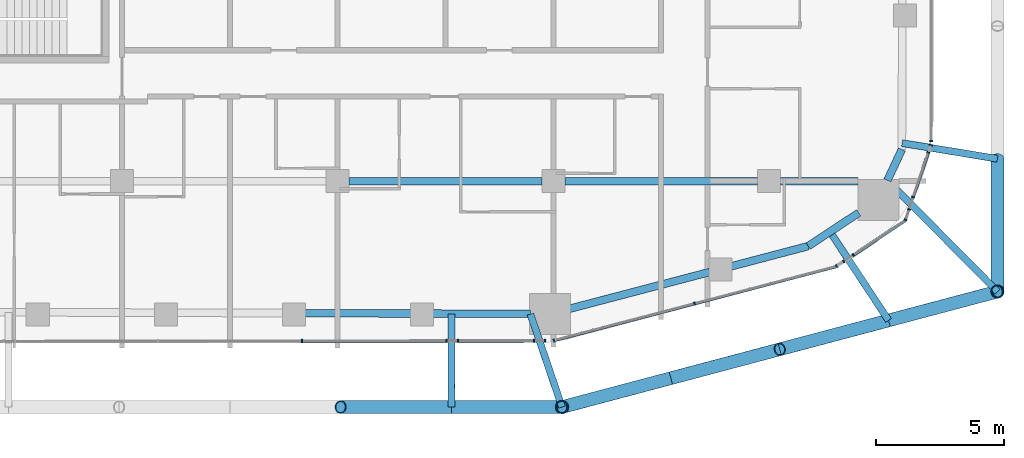
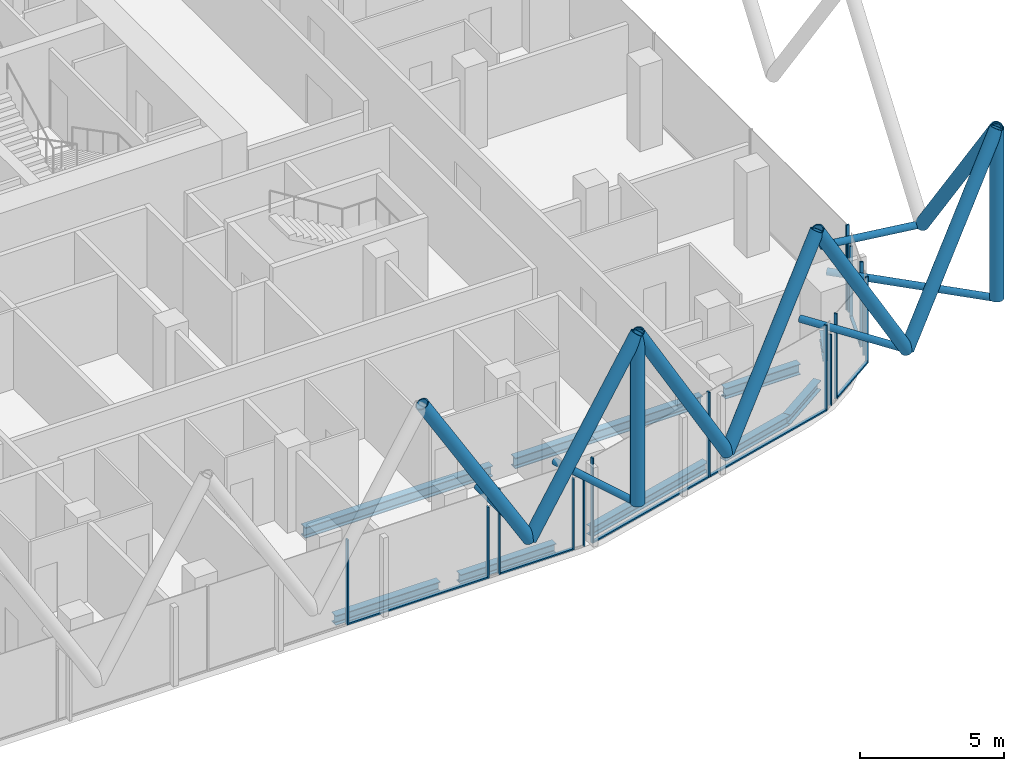
# One storey, part 6 of 36: 36 members, 9 beams, 13 elements without a shape of their own.
"""IFC4 building model written with IfcOpenShell, lengths in metres."""

from ifc_helpers import new_model, si_unit, direction, frame, origin, origin_2d, place, context, subcontext, project, spatial, rectangle, hollow_circle, i_section, extrude, material, layer, layer_set, material_profile, profile_set, type_object, element, aggregate, save


model = new_model("IFC4")

# Units and contexts
model_context = context("Model", 3, precision=1e-05, world=origin(), true_north=direction((0.0, 1.0)))
body_context = subcontext(model_context, "Body", "Model", "MODEL_VIEW")
ifc_project = project(units=[si_unit("LENGTHUNIT", "METRE"), si_unit("AREAUNIT", "SQUARE_METRE"), si_unit("VOLUMEUNIT", "CUBIC_METRE"), si_unit("PLANEANGLEUNIT", "RADIAN"), si_unit("MASSUNIT", "GRAM", prefix="KILO")], contexts=[model_context])

# Site, building, storey
site_placement = place(None, origin())
site = spatial("IfcSite", under=ifc_project, at=site_placement, CompositionType="ELEMENT")
building_placement = place(site_placement, origin())
building = spatial("IfcBuilding", under=site, at=building_placement, Name="Marenta Gate Hotel Tower", CompositionType="ELEMENT")
storey_placement = place(building_placement, frame((0.0, 0.0, 158.89990234375)))
storey = spatial("IfcBuildingStorey", under=building, at=storey_placement, Name="L37", CompositionType="ELEMENT", Elevation=158.89990234375)

# Members
ifc_material_1 = material(Name="Steel S355J2W", Category="steel")
ifc_material_profile_1 = material_profile(ifc_material_1, hollow_circle(Radius=0.25390625, WallThickness=0.02490234375, at=origin_2d()), Name="CHS 508x25")
ifc_profile_set_1 = profile_set([ifc_material_profile_1], Name="Steel S355J2W")
member_type_1 = type_object("IfcMemberType", Name="Diagrid corner post Z2 CHS 508x25", PredefinedType="POST", material=ifc_profile_set_1)
for number, where, z_axis, x_axis, name in (
    (1, (29.89990234375, -21.10009765625, 3.14013671875), (0.0, 0.0, 1.0), (1.0, 0.0, 0.0), "L37-DR-2"),
    (2, (12.93896484375, -25.60009765625, 3.14013671875), (0.0, 0.0, 1.0), (1.0, 0.0, 0.0), "L37-DR-3"),
):
    element("IfcMember", number, at=place(storey_placement, frame(where, z_axis=z_axis, x_axis=x_axis)), inside=storey, type_object=member_type_1, Name=name, PredefinedType="POST", context=body_context, shape_type="SweptSolid", body=[
        extrude(hollow_circle(Radius=0.25390625, WallThickness=0.02490234375, at=origin_2d()), origin(), (0.0, 0.0, 1.0), 7.199951171875),
    ])
ifc_material_2 = material(Name="Steel S355J2W", Category="steel")
ifc_material_profile_2 = material_profile(ifc_material_2, hollow_circle(Radius=0.25390625, WallThickness=0.0400390625, at=origin_2d()), Name="CHS 508x40")
ifc_profile_set_2 = profile_set([ifc_material_profile_2], Name="Steel S355J2W")
member_type_2 = type_object("IfcMemberType", Name="Diagrid diagonal Z2 CHS 508x40", PredefinedType="BRACE", material=ifc_profile_set_2)
member_1_placement = place(storey_placement, frame((29.89990234375, -15.93017578125, 3.14013671875), z_axis=(0.0, -0.583260841117, 0.812284919975), x_axis=(1.0, 0.0, 0.0)))
element("IfcMember", 3, at=member_1_placement, inside=storey, type_object=member_type_2, Name="L37-DG-10", PredefinedType="BRACE", context=body_context, shape_type="SweptSolid", body=[
    extrude(hollow_circle(Radius=0.25390625, WallThickness=0.0400390625, at=origin_2d()), origin(), (0.0, 0.0, 1.0), 8.86376953125),
])
member_2_placement = place(storey_placement, frame((25.659912109375, -22.22509765625, 3.14013671875), z_axis=(0.502902385412, 0.133435492139, 0.853981358218), x_axis=(-0.256456982503, 0.966555645644, 0.0)))
element("IfcMember", 4, at=member_2_placement, inside=storey, type_object=member_type_2, Name="L37-DG-11", PredefinedType="BRACE", context=body_context, shape_type="SweptSolid", body=[
    extrude(hollow_circle(Radius=0.25390625, WallThickness=0.0400390625, at=origin_2d()), origin(), (0.0, 0.0, 1.0), 8.43115234375),
])
member_3_placement = place(storey_placement, frame((25.659912109375, -22.22509765625, 3.14013671875), z_axis=(-0.502945650976, -0.133431605717, 0.853956485285), x_axis=(0.256429393985, -0.966562965306, 0.0)))
element("IfcMember", 5, at=member_3_placement, inside=storey, type_object=member_type_2, Name="L37-DG-12", PredefinedType="BRACE", context=body_context, shape_type="SweptSolid", body=[
    extrude(hollow_circle(Radius=0.25390625, WallThickness=0.0400390625, at=origin_2d()), origin(), (0.0, 0.0, 1.0), 8.431396484375),
])
for number, where, z_axis, x_axis, name in (
    (6, (17.17919921875, -24.47509765625, 3.14013671875), (0.502924018666, 0.133433548941, 0.853968921838), (-0.256443187528, 0.96655930577, 0.0), "L37-DG-13"),
    (7, (17.17919921875, -24.47509765625, 3.14013671875), (-0.502924018666, -0.133433548941, 0.853968921838), (0.256443187528, -0.96655930577, 0.0), "L37-DG-14"),
):
    element("IfcMember", number, at=place(storey_placement, frame(where, z_axis=z_axis, x_axis=x_axis)), inside=storey, type_object=member_type_2, Name=name, PredefinedType="BRACE", context=body_context, shape_type="SweptSolid", body=[
        extrude(hollow_circle(Radius=0.25390625, WallThickness=0.0400390625, at=origin_2d()), origin(), (0.0, 0.0, 1.0), 8.43115234375),
    ])
for number, where, z_axis, x_axis, name in (
    (8, (8.6259765625, -25.60009765625, 3.14013671875), (0.513883902774, 0.0, 0.857859740558), (0.0, 1.0, 0.0), "L37-DG-15"),
    (9, (8.6259765625, -25.60009765625, 3.14013671875), (-0.513883902774, 0.0, 0.857859740558), (0.0, -1.0, 0.0), "L37-DG-16"),
):
    element("IfcMember", number, at=place(storey_placement, frame(where, z_axis=z_axis, x_axis=x_axis)), inside=storey, type_object=member_type_2, Name=name, PredefinedType="BRACE", context=body_context, shape_type="SweptSolid", body=[
        extrude(hollow_circle(Radius=0.25390625, WallThickness=0.0400390625, at=origin_2d()), origin(), (0.0, 0.0, 1.0), 8.392822265625),
    ])

# Beams
ifc_material_3 = material(Name="Steel S355", Category="steel")
ifc_material_profile_3 = material_profile(ifc_material_3, i_section(OverallWidth=0.300048828125, OverallDepth=0.39990234375, WebThickness=0.013427734375, FlangeThickness=0.02392578125, FilletRadius=0.027099609375, at=origin_2d()), Name="HEB 400")
ifc_profile_set_3 = profile_set([ifc_material_profile_3], Name="Steel S355")
beam_type_1 = type_object("IfcBeamType", Name="Edge beam HEB 400", PredefinedType="SPANDREL", material=ifc_profile_set_3)
beam_1_placement = place(storey_placement, frame((26.175048828125, -15.567138671875, -0.4599609375), z_axis=(-0.423207780269, -0.906032656541, 0.0), x_axis=(0.906032656541, -0.423207780269, 0.0)))
element("IfcBeam", 10, at=beam_1_placement, inside=storey, type_object=beam_type_1, Name="L37-EB-28", PredefinedType="SPANDREL", context=body_context, shape_type="SweptSolid", body=[
    extrude(i_section(OverallWidth=0.300048828125, OverallDepth=0.39990234375, WebThickness=0.013427734375, FlangeThickness=0.02392578125, FilletRadius=0.027099609375, at=origin_2d()), origin(), (0.0, 0.0, 1.0), 1.326904296875),
])
beam_2_placement = place(storey_placement, frame((24.496337890625, -18.0322265625, -0.4599609375), z_axis=(-0.834496060599, -0.551013906217, 0.0), x_axis=(0.551013906217, -0.834496060599, 0.0)))
element("IfcBeam", 11, at=beam_2_placement, inside=storey, type_object=beam_type_1, Name="L37-EB-29", PredefinedType="SPANDREL", context=body_context, shape_type="SweptSolid", body=[
    extrude(i_section(OverallWidth=0.300048828125, OverallDepth=0.39990234375, WebThickness=0.013427734375, FlangeThickness=0.02392578125, FilletRadius=0.027099609375, at=origin_2d()), origin(), (0.0, 0.0, 1.0), 2.357177734375),
])
beam_3_placement = place(storey_placement, frame((22.529296875, -19.3310546875, -0.4599609375), z_axis=(-0.967224706208, -0.25392197168, 0.0), x_axis=(0.25392197168, -0.967224706208, 0.0)))
element("IfcBeam", 12, at=beam_3_placement, inside=storey, type_object=beam_type_1, Name="L37-EB-30", PredefinedType="SPANDREL", context=body_context, shape_type="SweptSolid", body=[
    extrude(i_section(OverallWidth=0.300048828125, OverallDepth=0.39990234375, WebThickness=0.013427734375, FlangeThickness=0.02392578125, FilletRadius=0.027099609375, at=origin_2d()), origin(), (0.0, 0.0, 1.0), 3.11328125),
])
beam_4_placement = place(storey_placement, frame((18.695556640625, -20.33740234375, -0.4599609375), z_axis=(-0.96723321901, -0.253889542999, 0.0), x_axis=(0.253889542999, -0.96723321901, 0.0)))
element("IfcBeam", 13, at=beam_4_placement, inside=storey, type_object=beam_type_1, Name="L37-EB-31", PredefinedType="SPANDREL", context=body_context, shape_type="SweptSolid", body=[
    extrude(i_section(OverallWidth=0.300048828125, OverallDepth=0.39990234375, WebThickness=0.013427734375, FlangeThickness=0.02392578125, FilletRadius=0.027099609375, at=origin_2d()), origin(), (0.0, 0.0, 1.0), 5.6533203125),
])
beam_5_placement = place(storey_placement, frame((11.706298828125, -21.97021484375, -0.4599609375), z_axis=(-0.999994883969, 0.003198755307, 0.0), x_axis=(-0.003198755307, -0.999994883969, 0.0)))
element("IfcBeam", 14, at=beam_5_placement, inside=storey, type_object=beam_type_1, Name="L37-EB-32", PredefinedType="SPANDREL", context=body_context, shape_type="SweptSolid", body=[
    extrude(i_section(OverallWidth=0.300048828125, OverallDepth=0.39990234375, WebThickness=0.013427734375, FlangeThickness=0.02392578125, FilletRadius=0.027099609375, at=origin_2d()), origin(), (0.0, 0.0, 1.0), 3.816162109375),
])
beam_6_placement = place(storey_placement, frame((7.070068359375, -21.955322265625, -0.4599609375), z_axis=(-0.999994807487, 0.003222576575, 0.0), x_axis=(-0.003222576575, -0.999994807487, 0.0)))
element("IfcBeam", 15, at=beam_6_placement, inside=storey, type_object=beam_type_1, Name="L37-EB-33", PredefinedType="SPANDREL", context=body_context, shape_type="SweptSolid", body=[
    extrude(i_section(OverallWidth=0.300048828125, OverallDepth=0.39990234375, WebThickness=0.013427734375, FlangeThickness=0.02392578125, FilletRadius=0.027099609375, at=origin_2d()), origin(), (0.0, 0.0, 1.0), 4.166748046875),
])

# Members
ifc_material_4 = material(Name="Steel S355J2W", Category="steel")
ifc_material_profile_4 = material_profile(ifc_material_4, hollow_circle(Radius=0.136474609375, WallThickness=0.012451171875, at=origin_2d()), Name="CHS 273x12.5")
ifc_profile_set_4 = profile_set([ifc_material_profile_4], Name="Steel S355J2W")
member_type_3 = type_object("IfcMemberType", Name="Floor tie CHS 273x12.5", PredefinedType="STRUT", material=ifc_profile_set_4)
member_4_placement = place(storey_placement, frame((29.89990234375, -15.93017578125, 3.14013671875), z_axis=(-0.986724686623, 0.162401948291, 0.0), x_axis=(-0.162401948291, -0.986724686623, 0.0)))
element("IfcMember", 16, at=member_4_placement, inside=storey, type_object=member_type_3, Name="L37-DR-10", PredefinedType="STRUT", context=body_context, shape_type="SweptSolid", body=[
    extrude(hollow_circle(Radius=0.136474609375, WallThickness=0.012451171875, at=origin_2d()), origin(), (0.0, 0.0, 1.0), 3.767333984375),
])
member_5_placement = place(storey_placement, frame((29.89990234375, -21.10009765625, 3.14013671875), z_axis=(-0.703467207322, 0.710727717359, 0.0), x_axis=(-0.710727717359, -0.703467207322, 0.0)))
element("IfcMember", 17, at=member_5_placement, inside=storey, type_object=member_type_3, Name="L37-DR-11", PredefinedType="STRUT", context=body_context, shape_type="SweptSolid", body=[
    extrude(hollow_circle(Radius=0.136474609375, WallThickness=0.012451171875, at=origin_2d()), origin(), (0.0, 0.0, 1.0), 6.086181640625),
])
member_6_placement = place(storey_placement, frame((25.659912109375, -22.22509765625, 3.14013671875), z_axis=(-0.551028164998, 0.834486645417, 0.0), x_axis=(-0.834486645417, -0.551028164998, 0.0)))
element("IfcMember", 18, at=member_6_placement, inside=storey, type_object=member_type_3, Name="L37-DR-12", PredefinedType="STRUT", context=body_context, shape_type="SweptSolid", body=[
    extrude(hollow_circle(Radius=0.136474609375, WallThickness=0.012451171875, at=origin_2d()), origin(), (0.0, 0.0, 1.0), 4.13330078125),
])
member_7_placement = place(storey_placement, frame((12.93896484375, -25.60009765625, 3.14013671875), z_axis=(-0.321582426358, 0.94688158872, 0.0), x_axis=(-0.94688158872, -0.321582426358, 0.0)))
element("IfcMember", 19, at=member_7_placement, inside=storey, type_object=member_type_3, Name="L37-DR-13", PredefinedType="STRUT", context=body_context, shape_type="SweptSolid", body=[
    extrude(hollow_circle(Radius=0.136474609375, WallThickness=0.012451171875, at=origin_2d()), origin(), (0.0, 0.0, 1.0), 3.826171875),
])
member_8_placement = place(storey_placement, frame((8.6259765625, -25.60009765625, 3.14013671875), z_axis=(0.003225789668, 0.999994797127, 0.0), x_axis=(-0.999994797127, 0.003225789668, 0.0)))
element("IfcMember", 20, at=member_8_placement, inside=storey, type_object=member_type_3, Name="L37-DR-14", PredefinedType="STRUT", context=body_context, shape_type="SweptSolid", body=[
    extrude(hollow_circle(Radius=0.136474609375, WallThickness=0.012451171875, at=origin_2d()), origin(), (0.0, 0.0, 1.0), 3.6328125),
])

# Beams
ifc_material_5 = material(Name="Steel S355", Category="steel")
ifc_material_profile_5 = material_profile(ifc_material_5, i_section(OverallWidth=0.300048828125, OverallDepth=0.449951171875, WebThickness=0.013916015625, FlangeThickness=0.02587890625, FilletRadius=0.027099609375, at=origin_2d()), Name="HEB 450")
ifc_profile_set_5 = profile_set([ifc_material_profile_5], Name="Steel S355")
beam_type_2 = type_object("IfcBeamType", Name="Girder HEB 450", PredefinedType="BEAM", material=ifc_profile_set_5)
for number, where, z_axis, x_axis, name in (
    (21, (4.64990234375, -16.800048828125, -0.48486328125), (1.0, 0.0, 0.0), (0.0, 1.0, 0.0), "L37-GD-5"),
    (22, (13.050048828125, -16.800048828125, -0.48486328125), (1.0, 0.0, 0.0), (0.0, 1.0, 0.0), "L37-GD-6"),
):
    element("IfcBeam", number, at=place(storey_placement, frame(where, z_axis=z_axis, x_axis=x_axis)), inside=storey, type_object=beam_type_2, Name=name, PredefinedType="BEAM", context=body_context, shape_type="SweptSolid", body=[
        extrude(i_section(OverallWidth=0.300048828125, OverallDepth=0.449951171875, WebThickness=0.013916015625, FlangeThickness=0.02587890625, FilletRadius=0.027099609375, at=origin_2d()), origin(), (0.0, 0.0, 1.0), 7.5),
    ])
beam_7_placement = place(storey_placement, frame((21.449951171875, -16.800048828125, -0.48486328125), z_axis=(1.0, 0.0, 0.0), x_axis=(0.0, 1.0, 0.0)))
element("IfcBeam", 23, at=beam_7_placement, inside=storey, type_object=beam_type_2, Name="L37-GD-7", PredefinedType="BEAM", context=body_context, shape_type="SweptSolid", body=[
    extrude(i_section(OverallWidth=0.300048828125, OverallDepth=0.449951171875, WebThickness=0.013916015625, FlangeThickness=0.02587890625, FilletRadius=0.027099609375, at=origin_2d()), origin(), (0.0, 0.0, 1.0), 3.012939453125),
])

# Curtain wall, member
ifc_material_6 = material(Name="Tinted insulated glass in bronze anodised frame", Category="glass")
ifc_layer = layer(ifc_material_6, 0.1201171875)
ifc_layer_set = layer_set([ifc_layer], Name="Tinted insulated glass in bronze anodised frame")
curtain_wall_type = type_object("IfcCurtainWallType", Name="Tower unitised curtain wall CW1", PredefinedType="NOTDEFINED", material=ifc_layer_set)
curtain_wall_1_placement = place(storey_placement, origin())
curtain_wall_1 = element("IfcCurtainWall", 24, at=curtain_wall_1_placement, inside=storey, type_object=curtain_wall_type, Name="CW1 run G21", PredefinedType="NOTDEFINED")
ifc_material_7 = material(Name="Bronze anodised aluminium", Category="aluminium")
ifc_material_profile_6 = material_profile(ifc_material_7, rectangle(XDim=0.1201171875, YDim=0.06005859375, at=origin_2d()), Name="Mullion CW1 60x120 bronze anodised aluminium")
ifc_profile_set_6 = profile_set([ifc_material_profile_6], Name="Bronze anodised aluminium")
member_type_4 = type_object("IfcMemberType", Name="Mullion CW1 60x120 bronze anodised aluminium", PredefinedType="MULLION", material=ifc_profile_set_6)
member_9_placement = place(storey_placement, frame((2.80810546875, -23.026611328125, 0.0), z_axis=(0.0, 0.0, 1.0), x_axis=(-0.001363166999, 0.999999070887, 0.0)))
member_9 = element("IfcMember", 25, at=member_9_placement, type_object=member_type_4, Name="CW1 mullion 3", PredefinedType="MULLION", context=body_context, shape_type="SweptSolid", body=[
    extrude(rectangle(XDim=0.1201171875, YDim=0.06005859375, at=origin_2d()), origin(), (0.0, 0.0, 1.0), 3.60009765625),
])

curtain_wall_2_placement = place(storey_placement, origin())
curtain_wall_2 = element("IfcCurtainWall", 26, at=curtain_wall_2_placement, inside=storey, type_object=curtain_wall_type, Name="CW1 run G22", PredefinedType="NOTDEFINED")
member_10_placement = place(storey_placement, frame((8.437744140625, -23.01904296875, 0.0), z_axis=(0.0, 0.0, 1.0), x_axis=(-0.001324502144, 0.999999122847, 0.0)))
member_10 = element("IfcMember", 27, at=member_10_placement, type_object=member_type_4, Name="CW1 mullion 1", PredefinedType="MULLION", context=body_context, shape_type="SweptSolid", body=[
    extrude(rectangle(XDim=0.1201171875, YDim=0.06005859375, at=origin_2d()), origin(), (0.0, 0.0, 1.0), 3.00048828125),
])
aggregate(curtain_wall_2, [member_10])

curtain_wall_3_placement = place(storey_placement, origin())
curtain_wall_3 = element("IfcCurtainWall", 28, at=curtain_wall_3_placement, inside=storey, type_object=curtain_wall_type, Name="CW1 run G23", PredefinedType="NOTDEFINED")
member_11_placement = place(storey_placement, frame((8.890869140625, -23.018310546875, 0.0), z_axis=(0.0, 0.0, 1.0), x_axis=(-0.001384712772, 0.999999041285, 0.0)))
member_11 = element("IfcMember", 29, at=member_11_placement, type_object=member_type_4, Name="CW1 mullion 1", PredefinedType="MULLION", context=body_context, shape_type="SweptSolid", body=[
    extrude(rectangle(XDim=0.1201171875, YDim=0.06005859375, at=origin_2d()), origin(), (0.0, 0.0, 1.0), 3.60009765625),
])

# Curtain wall, members
curtain_wall_4_placement = place(storey_placement, origin())
curtain_wall_4 = element("IfcCurtainWall", 30, at=curtain_wall_4_placement, inside=storey, type_object=curtain_wall_type, Name="CW1 run G24", PredefinedType="NOTDEFINED")
member_12_placement = place(storey_placement, frame((11.851806640625, -23.01416015625, 0.0), z_axis=(0.0, 0.0, 1.0), x_axis=(-0.001254704164, 0.999999212858, 0.0)))
member_12 = element("IfcMember", 31, at=member_12_placement, type_object=member_type_4, Name="CW1 mullion 1", PredefinedType="MULLION", context=body_context, shape_type="SweptSolid", body=[
    extrude(rectangle(XDim=0.1201171875, YDim=0.06005859375, at=origin_2d()), origin(), (0.0, 0.0, 1.0), 3.00048828125),
])
member_13_placement = place(storey_placement, frame((12.27001953125, -23.013671875, 0.0), z_axis=(0.0, 0.0, 1.0), x_axis=(-0.001254704164, 0.999999212858, 0.0)))
member_13 = element("IfcMember", 32, at=member_13_placement, type_object=member_type_4, Name="CW1 mullion 2", PredefinedType="MULLION", context=body_context, shape_type="SweptSolid", body=[
    extrude(rectangle(XDim=0.1201171875, YDim=0.06005859375, at=origin_2d()), origin(), (0.0, 0.0, 1.0), 3.00048828125),
])
aggregate(curtain_wall_4, [member_12, member_13])

curtain_wall_5_placement = place(storey_placement, origin())
curtain_wall_5 = element("IfcCurtainWall", 33, at=curtain_wall_5_placement, inside=storey, type_object=curtain_wall_type, Name="CW1 run G25", PredefinedType="NOTDEFINED")
member_14_placement = place(storey_placement, frame((12.626708984375, -23.005615234375, 0.0), z_axis=(0.0, 0.0, 1.0), x_axis=(-0.253374270473, 0.967368326473, 0.0)))
member_14 = element("IfcMember", 34, at=member_14_placement, type_object=member_type_4, Name="CW1 mullion 1", PredefinedType="MULLION", context=body_context, shape_type="SweptSolid", body=[
    extrude(rectangle(XDim=0.1201171875, YDim=0.06005859375, at=origin_2d()), origin(), (0.0, 0.0, 1.0), 3.60009765625),
])
member_15_placement = place(storey_placement, frame((18.102783203125, -21.571533203125, 0.0), z_axis=(0.0, 0.0, 1.0), x_axis=(-0.253374270473, 0.967368326473, 0.0)))
member_15 = element("IfcMember", 35, at=member_15_placement, type_object=member_type_4, Name="CW1 mullion 2", PredefinedType="MULLION", context=body_context, shape_type="SweptSolid", body=[
    extrude(rectangle(XDim=0.1201171875, YDim=0.06005859375, at=origin_2d()), origin(), (0.0, 0.0, 1.0), 3.60009765625),
])

# Curtain wall, member
curtain_wall_6_placement = place(storey_placement, origin())
curtain_wall_6 = element("IfcCurtainWall", 36, at=curtain_wall_6_placement, inside=storey, type_object=curtain_wall_type, Name="CW1 run G26", PredefinedType="NOTDEFINED")
member_16_placement = place(storey_placement, frame((23.632568359375, -20.113037109375, 0.0), z_axis=(0.0, 0.0, 1.0), x_axis=(-0.553864525199, 0.832606802594, 0.0)))
member_16 = element("IfcMember", 37, at=member_16_placement, type_object=member_type_4, Name="CW1 mullion 1", PredefinedType="MULLION", context=body_context, shape_type="SweptSolid", body=[
    extrude(rectangle(XDim=0.1201171875, YDim=0.06005859375, at=origin_2d()), origin(), (0.0, 0.0, 1.0), 3.60009765625),
])
aggregate(curtain_wall_6, [member_16])

curtain_wall_7_placement = place(storey_placement, origin())
curtain_wall_7 = element("IfcCurtainWall", 38, at=curtain_wall_7_placement, inside=storey, type_object=curtain_wall_type, Name="CW1 run G27", PredefinedType="NOTDEFINED")
member_17_placement = place(storey_placement, frame((23.90869140625, -19.929443359375, 0.0), z_axis=(0.0, 0.0, 1.0), x_axis=(-0.554088731944, 0.832457612814, 0.0)))
member_17 = element("IfcMember", 39, at=member_17_placement, type_object=member_type_4, Name="CW1 mullion 1", PredefinedType="MULLION", context=body_context, shape_type="SweptSolid", body=[
    extrude(rectangle(XDim=0.1201171875, YDim=0.06005859375, at=origin_2d()), origin(), (0.0, 0.0, 1.0), 3.00048828125),
])
aggregate(curtain_wall_7, [member_17])

curtain_wall_8_placement = place(storey_placement, origin())
curtain_wall_8 = element("IfcCurtainWall", 40, at=curtain_wall_8_placement, inside=storey, type_object=curtain_wall_type, Name="CW1 run G28", PredefinedType="NOTDEFINED")
member_18_placement = place(storey_placement, frame((24.28564453125, -19.678466796875, 0.0), z_axis=(0.0, 0.0, 1.0), x_axis=(-0.554023350707, 0.832501127249, 0.0)))
member_18 = element("IfcMember", 41, at=member_18_placement, type_object=member_type_4, Name="CW1 mullion 1", PredefinedType="MULLION", context=body_context, shape_type="SweptSolid", body=[
    extrude(rectangle(XDim=0.1201171875, YDim=0.06005859375, at=origin_2d()), origin(), (0.0, 0.0, 1.0), 3.60009765625),
])

curtain_wall_9_placement = place(storey_placement, origin())
curtain_wall_9 = element("IfcCurtainWall", 42, at=curtain_wall_9_placement, inside=storey, type_object=curtain_wall_type, Name="CW1 run G29", PredefinedType="NOTDEFINED")
member_19_placement = place(storey_placement, frame((26.314453125, -18.30615234375, 0.0), z_axis=(0.0, 0.0, 1.0), x_axis=(-0.946727185016, 0.322036701561, 0.0)))
member_19 = element("IfcMember", 43, at=member_19_placement, type_object=member_type_4, Name="CW1 mullion 1", PredefinedType="MULLION", context=body_context, shape_type="SweptSolid", body=[
    extrude(rectangle(XDim=0.1201171875, YDim=0.06005859375, at=origin_2d()), origin(), (0.0, 0.0, 1.0), 3.60009765625),
])
aggregate(curtain_wall_9, [member_19])

curtain_wall_10_placement = place(storey_placement, origin())
curtain_wall_10 = element("IfcCurtainWall", 44, at=curtain_wall_10_placement, inside=storey, type_object=curtain_wall_type, Name="CW1 run G30", PredefinedType="NOTDEFINED")
member_20_placement = place(storey_placement, frame((26.452392578125, -17.90087890625, 0.0), z_axis=(0.0, 0.0, 1.0), x_axis=(-0.946729383953, 0.322030237029, 0.0)))
member_20 = element("IfcMember", 45, at=member_20_placement, type_object=member_type_4, Name="CW1 mullion 1", PredefinedType="MULLION", context=body_context, shape_type="SweptSolid", body=[
    extrude(rectangle(XDim=0.1201171875, YDim=0.06005859375, at=origin_2d()), origin(), (0.0, 0.0, 1.0), 3.00048828125),
])
aggregate(curtain_wall_10, [member_20])

curtain_wall_11_placement = place(storey_placement, origin())
curtain_wall_11 = element("IfcCurtainWall", 46, at=curtain_wall_11_placement, inside=storey, type_object=curtain_wall_type, Name="CW1 run G31", PredefinedType="NOTDEFINED")
member_21_placement = place(storey_placement, frame((26.615478515625, -17.421630859375, 0.0), z_axis=(0.0, 0.0, 1.0), x_axis=(-0.946728842502, 0.322031828824, 0.0)))
member_21 = element("IfcMember", 47, at=member_21_placement, type_object=member_type_4, Name="CW1 mullion 1", PredefinedType="MULLION", context=body_context, shape_type="SweptSolid", body=[
    extrude(rectangle(XDim=0.1201171875, YDim=0.06005859375, at=origin_2d()), origin(), (0.0, 0.0, 1.0), 3.60009765625),
])

# Curtain wall, members
curtain_wall_12_placement = place(storey_placement, origin())
curtain_wall_12 = element("IfcCurtainWall", 48, at=curtain_wall_12_placement, inside=storey, type_object=curtain_wall_type, Name="CW1 run G32", PredefinedType="NOTDEFINED")
member_22_placement = place(storey_placement, frame((27.205810546875, -15.686279296875, 0.0), z_axis=(0.0, 0.0, 1.0), x_axis=(-0.946726116827, 0.322039841818, 0.0)))
member_22 = element("IfcMember", 49, at=member_22_placement, type_object=member_type_4, Name="CW1 mullion 1", PredefinedType="MULLION", context=body_context, shape_type="SweptSolid", body=[
    extrude(rectangle(XDim=0.1201171875, YDim=0.06005859375, at=origin_2d()), origin(), (0.0, 0.0, 1.0), 3.00048828125),
])
member_23_placement = place(storey_placement, frame((27.304443359375, -15.396484375, 0.0), z_axis=(0.0, 0.0, 1.0), x_axis=(-0.946726116827, 0.322039841818, 0.0)))
member_23 = element("IfcMember", 50, at=member_23_placement, type_object=member_type_4, Name="CW1 mullion 2", PredefinedType="MULLION", context=body_context, shape_type="SweptSolid", body=[
    extrude(rectangle(XDim=0.1201171875, YDim=0.06005859375, at=origin_2d()), origin(), (0.0, 0.0, 1.0), 3.00048828125),
])
aggregate(curtain_wall_12, [member_22, member_23])

# Curtain wall, member
curtain_wall_13_placement = place(storey_placement, origin())
curtain_wall_13 = element("IfcCurtainWall", 51, at=curtain_wall_13_placement, inside=storey, type_object=curtain_wall_type, Name="CW1 run G33", PredefinedType="NOTDEFINED")
member_24_placement = place(storey_placement, frame((27.31396484375, -15.244873046875, 0.0), z_axis=(0.0, 0.0, 1.0), x_axis=(-1.0, 0.0, 0.0)))
member_24 = element("IfcMember", 52, at=member_24_placement, type_object=member_type_4, Name="CW1 mullion 1", PredefinedType="MULLION", context=body_context, shape_type="SweptSolid", body=[
    extrude(rectangle(XDim=0.1201171875, YDim=0.06005859375, at=origin_2d()), origin(), (0.0, 0.0, 1.0), 3.60009765625),
])
aggregate(curtain_wall_13, [member_24])

# Member
ifc_material_8 = material(Name="Bronze anodised aluminium", Category="aluminium")
ifc_material_profile_7 = material_profile(ifc_material_8, rectangle(XDim=0.1201171875, YDim=0.06005859375, at=origin_2d()), Name="Transom CW1 60x120 bronze anodised aluminium")
ifc_profile_set_7 = profile_set([ifc_material_profile_7], Name="Bronze anodised aluminium")
member_type_5 = type_object("IfcMemberType", Name="Transom CW1 60x120 bronze anodised aluminium", PredefinedType="USERDEFINED", material=ifc_profile_set_7)
member_25_placement = place(storey_placement, frame((2.838134765625, -23.026611328125, 0.030029296875), z_axis=(0.999999076732, 0.001358873071, 0.0), x_axis=(-0.001358873071, 0.999999076732, 0.0)))
member_25 = element("IfcMember", 53, at=member_25_placement, type_object=member_type_5, Name="CW1 transom 3.1", ObjectType="TRANSOM", PredefinedType="USERDEFINED", context=body_context, shape_type="SweptSolid", body=[
    extrude(rectangle(XDim=0.1201171875, YDim=0.06005859375, at=origin_2d()), origin(), (0.0, 0.0, 1.0), 5.569580078125),
])

aggregate(curtain_wall_1, [member_9, member_25])

member_26_placement = place(storey_placement, frame((8.9208984375, -23.018310546875, 0.030029296875), z_axis=(0.99999909337, 0.00134657343, 0.0), x_axis=(-0.00134657343, 0.99999909337, 0.0)))
member_26 = element("IfcMember", 54, at=member_26_placement, type_object=member_type_5, Name="CW1 transom 1.1", ObjectType="TRANSOM", PredefinedType="USERDEFINED", context=body_context, shape_type="SweptSolid", body=[
    extrude(rectangle(XDim=0.1201171875, YDim=0.06005859375, at=origin_2d()), origin(), (0.0, 0.0, 1.0), 2.90087890625),
])

aggregate(curtain_wall_3, [member_11, member_26])

member_27_placement = place(storey_placement, frame((12.65576171875, -22.998046875, 0.030029296875), z_axis=(0.967374258372, 0.25335162174, 0.0), x_axis=(-0.25335162174, 0.967374258372, 0.0)))
member_27 = element("IfcMember", 55, at=member_27_placement, type_object=member_type_5, Name="CW1 transom 1.1", ObjectType="TRANSOM", PredefinedType="USERDEFINED", context=body_context, shape_type="SweptSolid", body=[
    extrude(rectangle(XDim=0.1201171875, YDim=0.06005859375, at=origin_2d()), origin(), (0.0, 0.0, 1.0), 5.6005859375),
])

member_28_placement = place(storey_placement, frame((18.1318359375, -21.56396484375, 0.030029296875), z_axis=(0.967364420611, 0.253389182357, 0.0), x_axis=(-0.253389182357, 0.967364420611, 0.0)))
member_28 = element("IfcMember", 56, at=member_28_placement, type_object=member_type_5, Name="CW1 transom 2.1", ObjectType="TRANSOM", PredefinedType="USERDEFINED", context=body_context, shape_type="SweptSolid", body=[
    extrude(rectangle(XDim=0.1201171875, YDim=0.06005859375, at=origin_2d()), origin(), (0.0, 0.0, 1.0), 5.66064453125),
])

aggregate(curtain_wall_5, [member_14, member_15, member_27, member_28])

member_29_placement = place(storey_placement, frame((24.310546875, -19.661865234375, 0.030029296875), z_axis=(0.832520358973, 0.553994451142, 0.0), x_axis=(-0.553994451142, 0.832520358973, 0.0)))
member_29 = element("IfcMember", 57, at=member_29_placement, type_object=member_type_5, Name="CW1 transom 1.1", ObjectType="TRANSOM", PredefinedType="USERDEFINED", context=body_context, shape_type="SweptSolid", body=[
    extrude(rectangle(XDim=0.1201171875, YDim=0.06005859375, at=origin_2d()), origin(), (0.0, 0.0, 1.0), 2.3955078125),
])

aggregate(curtain_wall_8, [member_18, member_29])

member_30_placement = place(storey_placement, frame((26.625, -17.393310546875, 0.030029296875), z_axis=(0.322045894615, 0.946724057876, 0.0), x_axis=(-0.946724057876, 0.322045894615, 0.0)))
member_30 = element("IfcMember", 58, at=member_30_placement, type_object=member_type_5, Name="CW1 transom 1.1", ObjectType="TRANSOM", PredefinedType="USERDEFINED", context=body_context, shape_type="SweptSolid", body=[
    extrude(rectangle(XDim=0.1201171875, YDim=0.06005859375, at=origin_2d()), origin(), (0.0, 0.0, 1.0), 1.773193359375),
])

aggregate(curtain_wall_11, [member_21, member_30])

save(model, "model.ifc")
